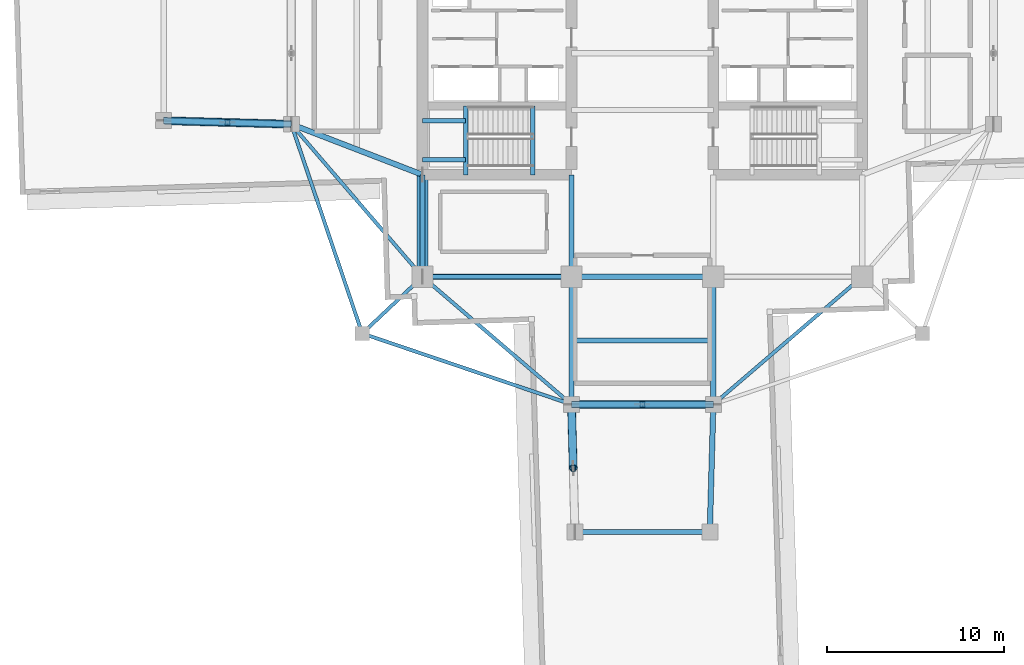
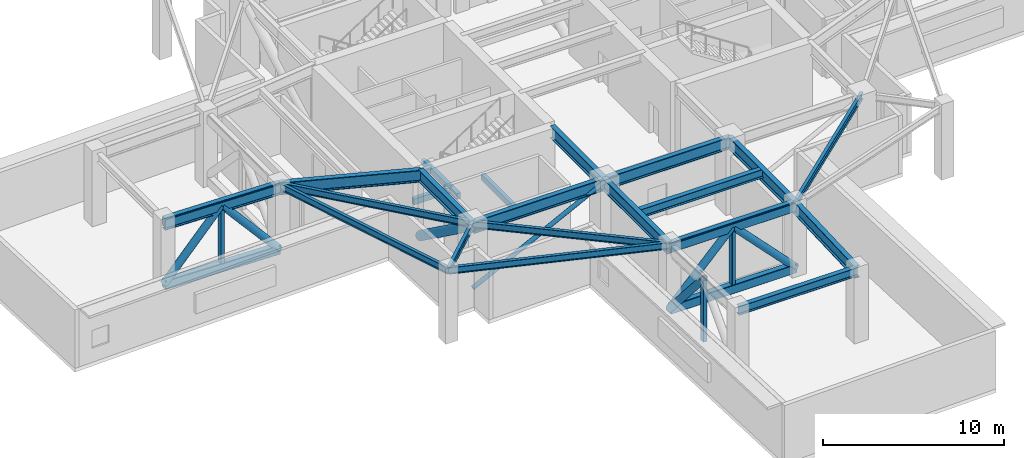
# One storey, part 2 of 17: 22 beams, 14 members.
"""IFC4 building model written with IfcOpenShell, lengths in metres."""

from ifc_helpers import new_model, si_unit, direction, frame, origin, origin_2d, place, context, subcontext, project, spatial, rectangle, hollow_rectangle, hollow_circle, i_section, extrude, material, material_profile, profile_set, type_object, element, save


model = new_model("IFC4")

# Units and contexts
model_context = context("Model", 3, precision=1e-05, world=origin(), true_north=direction((0.0, 1.0)))
body_context = subcontext(model_context, "Body", "Model", "MODEL_VIEW")
ifc_project = project(units=[si_unit("LENGTHUNIT", "METRE"), si_unit("AREAUNIT", "SQUARE_METRE"), si_unit("VOLUMEUNIT", "CUBIC_METRE"), si_unit("PLANEANGLEUNIT", "RADIAN"), si_unit("MASSUNIT", "GRAM", prefix="KILO")], contexts=[model_context])

# Site, building, storey
site_placement = place(None, origin())
site = spatial("IfcSite", under=ifc_project, at=site_placement, CompositionType="ELEMENT")
building_placement = place(site_placement, origin())
building = spatial("IfcBuilding", under=site, at=building_placement, Name="Qingluan Cross Belvedere", CompositionType="ELEMENT")
storey_placement = place(building_placement, frame((0.0, 0.0, 191.699951171875)))
storey = spatial("IfcBuildingStorey", under=building, at=storey_placement, Name="L48", CompositionType="ELEMENT", Elevation=191.699951171875)

# Beams
ifc_material_1 = material(Name="Concrete C45", Category="concrete")
ifc_material_profile_1 = material_profile(ifc_material_1, rectangle(XDim=0.25, YDim=0.39990234375, at=origin_2d()), Name="RC250x400")
ifc_profile_set_1 = profile_set([ifc_material_profile_1], Name="Concrete C45")
beam_type_1 = type_object("IfcBeamType", Name="RC_Lintel_RC250x400", PredefinedType="LINTEL", material=ifc_profile_set_1)
for number, where, z_axis, x_axis, name in (
    (1, (-6.179931640625, -6.85009765625, -0.199951171875), (0.0, 1.0, 0.0), (-1.0, 0.0, 0.0), "Stair ST1 landing beam L48"),
    (2, (-9.969970703125, -6.85009765625, 2.150146484375), (0.0, 1.0, 0.0), (-1.0, 0.0, 0.0), "Stair ST1 beam A L48"),
):
    element("IfcBeam", number, at=place(storey_placement, frame(where, z_axis=z_axis, x_axis=x_axis)), inside=storey, type_object=beam_type_1, Name=name, PredefinedType="LINTEL", context=body_context, shape_type="SweptSolid", body=[
        extrude(rectangle(XDim=0.25, YDim=0.39990234375, at=origin_2d()), origin(), (0.0, 0.0, 1.0), 3.89013671875),
    ])
for number, where, z_axis, x_axis, name in (
    (3, (-12.39990234375, -6.0, 2.150146484375), (1.0, 0.0, 0.0), (0.0, 1.0, 0.0), "Stair ST1 beam B L48"),
    (4, (-12.39990234375, -3.81005859375, 2.150146484375), (1.0, 0.0, 0.0), (0.0, 1.0, 0.0), "Stair ST1 beam C L48"),
):
    element("IfcBeam", number, at=place(storey_placement, frame(where, z_axis=z_axis, x_axis=x_axis)), inside=storey, type_object=beam_type_1, Name=name, PredefinedType="LINTEL", context=body_context, shape_type="SweptSolid", body=[
        extrude(rectangle(XDim=0.25, YDim=0.39990234375, at=origin_2d()), origin(), (0.0, 0.0, 1.0), 2.429931640625),
    ])

# Members
ifc_material_2 = material(Name="Steel Q420GJB", Category="steel")
ifc_material_profile_2 = material_profile(ifc_material_2, hollow_circle(Radius=0.228515625, WallThickness=0.02001953125, at=origin_2d()), Name="CHS457x20")
ifc_profile_set_2 = profile_set([ifc_material_profile_2], Name="Steel Q420GJB")
member_type_1 = type_object("IfcMemberType", Name="SteelMember_BRACE_CHS457x20", PredefinedType="BRACE", material=ifc_profile_set_2)
for number, where, z_axis, x_axis, name in (
    (5, (-4.0, -19.800048828125, 0.35009765625), (0.693983482825, 0.0, 0.719990920475), (0.0, 1.0, 0.0), "Belt truss diagonal A L48-S"),
    (6, (4.0, -19.800048828125, 0.35009765625), (-0.693983482825, 0.0, 0.719990920475), (0.0, -1.0, 0.0), "Belt truss diagonal B L48-S"),
):
    element("IfcMember", number, at=place(storey_placement, frame(where, z_axis=z_axis, x_axis=x_axis)), inside=storey, type_object=member_type_1, Name=name, PredefinedType="BRACE", context=body_context, shape_type="SweptSolid", body=[
        extrude(hollow_circle(Radius=0.228515625, WallThickness=0.02001953125, at=origin_2d()), origin(), (0.0, 0.0, 1.0), 5.763916015625),
    ])
member_1_placement = place(storey_placement, frame((-19.800048828125, -4.0, 0.35009765625), z_axis=(-0.655161797871, 0.018217452501, 0.755268921004), x_axis=(-0.027795292699, -0.999613636213, 0.0)))
element("IfcMember", 7, at=member_1_placement, inside=storey, type_object=member_type_1, Name="Belt truss diagonal A L48-WW", PredefinedType="BRACE", context=body_context, shape_type="SweptSolid", body=[
    extrude(hollow_circle(Radius=0.228515625, WallThickness=0.02001953125, at=origin_2d()), origin(), (0.0, 0.0, 1.0), 5.49462890625),
])
member_2_placement = place(storey_placement, frame((-27.0, -3.800048828125, 0.35009765625), z_axis=(0.655187687035, -0.018172505357, 0.755247545383), x_axis=(0.027725672588, 0.999615569646, 0.0)))
element("IfcMember", 8, at=member_2_placement, inside=storey, type_object=member_type_1, Name="Belt truss diagonal B L48-WW", PredefinedType="BRACE", context=body_context, shape_type="SweptSolid", body=[
    extrude(hollow_circle(Radius=0.228515625, WallThickness=0.02001953125, at=origin_2d()), origin(), (0.0, 0.0, 1.0), 5.494873046875),
])
member_3_placement = place(storey_placement, frame((-4.0, -19.800048828125, 0.35009765625), z_axis=(0.018217452501, -0.655161797871, 0.755268921004), x_axis=(0.999613636213, 0.027795292699, 0.0)))
element("IfcMember", 9, at=member_3_placement, inside=storey, type_object=member_type_1, Name="Belt truss diagonal A L48-SS", PredefinedType="BRACE", context=body_context, shape_type="SweptSolid", body=[
    extrude(hollow_circle(Radius=0.228515625, WallThickness=0.02001953125, at=origin_2d()), origin(), (0.0, 0.0, 1.0), 5.49462890625),
])
ifc_material_3 = material(Name="Steel Q420GJB", Category="steel")
ifc_material_profile_3 = material_profile(ifc_material_3, hollow_circle(Radius=0.304931640625, WallThickness=0.028076171875, at=origin_2d()), Name="CHS610x28")
ifc_profile_set_3 = profile_set([ifc_material_profile_3], Name="Steel Q420GJB")
member_type_2 = type_object("IfcMemberType", Name="SteelMember_BRACE_CHS610x28", PredefinedType="BRACE", material=ifc_profile_set_3)
member_4_placement = place(storey_placement, frame((-12.39990234375, -6.85009765625, 0.35009765625), z_axis=(0.0, -0.81087165175, 0.585224029231), x_axis=(1.0, 0.0, 0.0)))
element("IfcMember", 10, at=member_4_placement, inside=storey, type_object=member_type_2, Name="Outrigger truss diagonal L48-OWS", PredefinedType="BRACE", context=body_context, shape_type="SweptSolid", body=[
    extrude(hollow_circle(Radius=0.304931640625, WallThickness=0.028076171875, at=origin_2d()), origin(), (0.0, 0.0, 1.0), 7.091064453125),
])
ifc_material_4 = material(Name="Steel Q420GJB", Category="steel")
ifc_material_profile_4 = material_profile(ifc_material_4, hollow_rectangle(XDim=0.39990234375, YDim=0.60009765625, WallThickness=0.02490234375, InnerFilletRadius=0.02490234375, OuterFilletRadius=0.050048828125, at=origin_2d()), Name="RHS600x400x25")
ifc_profile_set_4 = profile_set([ifc_material_profile_4], Name="Steel Q420GJB")
member_type_3 = type_object("IfcMemberType", Name="SteelMember_CHORD_RHS600x400x25", PredefinedType="CHORD", material=ifc_profile_set_4)
for number, where, z_axis, x_axis, name in (
    (11, (-4.0, -19.800048828125, 0.35009765625), (1.0, 0.0, 0.0), (0.0, 1.0, 0.0), "Belt truss bottom chord L48-S"),
    (12, (-4.0, -19.800048828125, 4.5), (1.0, 0.0, 0.0), (0.0, 1.0, 0.0), "Belt truss top chord L48-S"),
):
    element("IfcMember", number, at=place(storey_placement, frame(where, z_axis=z_axis, x_axis=x_axis)), inside=storey, type_object=member_type_3, Name=name, PredefinedType="CHORD", context=body_context, shape_type="SweptSolid", body=[
        extrude(hollow_rectangle(XDim=0.39990234375, YDim=0.60009765625, WallThickness=0.02490234375, InnerFilletRadius=0.02490234375, OuterFilletRadius=0.050048828125, at=origin_2d()), origin(), (0.0, 0.0, 1.0), 8.0),
    ])
for number, where, z_axis, x_axis, name in (
    (13, (-19.800048828125, -4.0, 0.35009765625), (-0.999614603568, 0.027760481514, 0.0), (-0.027760481514, -0.999614603568, 0.0), "Belt truss bottom chord L48-WW"),
    (14, (-19.800048828125, -4.0, 4.5), (-0.999614603568, 0.027760481514, 0.0), (-0.027760481514, -0.999614603568, 0.0), "Belt truss top chord L48-WW"),
):
    element("IfcMember", number, at=place(storey_placement, frame(where, z_axis=z_axis, x_axis=x_axis)), inside=storey, type_object=member_type_3, Name=name, PredefinedType="CHORD", context=body_context, shape_type="SweptSolid", body=[
        extrude(hollow_rectangle(XDim=0.39990234375, YDim=0.60009765625, WallThickness=0.02490234375, InnerFilletRadius=0.02490234375, OuterFilletRadius=0.050048828125, at=origin_2d()), origin(), (0.0, 0.0, 1.0), 7.20263671875),
    ])
ifc_material_5 = material(Name="Steel Q420GJB", Category="steel")
ifc_material_profile_5 = material_profile(ifc_material_5, hollow_rectangle(XDim=0.25, YDim=0.35009765625, WallThickness=0.01611328125, InnerFilletRadius=0.01611328125, OuterFilletRadius=0.031982421875, at=origin_2d()), Name="RHS350x250x16")
ifc_profile_set_5 = profile_set([ifc_material_profile_5], Name="Steel Q420GJB")
member_type_4 = type_object("IfcMemberType", Name="SteelMember_POST_RHS350x250x16", PredefinedType="POST", material=ifc_profile_set_5)
for number, where, z_axis, x_axis, name in (
    (15, (0.0, -19.800048828125, 0.35009765625), (0.0, 0.0, 1.0), (1.0, 0.0, 0.0), "Belt truss mid-post L48-S"),
    (16, (-23.39990234375, -3.89990234375, 0.35009765625), (0.0, 0.0, 1.0), (1.0, 0.0, 0.0), "Belt truss mid-post L48-WW"),
    (17, (-3.89990234375, -23.39990234375, 0.35009765625), (0.0, 0.0, 1.0), (1.0, 0.0, 0.0), "Belt truss mid-post L48-SS"),
):
    element("IfcMember", number, at=place(storey_placement, frame(where, z_axis=z_axis, x_axis=x_axis)), inside=storey, type_object=member_type_4, Name=name, PredefinedType="POST", context=body_context, shape_type="SweptSolid", body=[
        extrude(hollow_rectangle(XDim=0.25, YDim=0.35009765625, WallThickness=0.01611328125, InnerFilletRadius=0.01611328125, OuterFilletRadius=0.031982421875, at=origin_2d()), origin(), (0.0, 0.0, 1.0), 4.14990234375),
    ])
ifc_material_6 = material(Name="Steel Q420GJB", Category="steel")
ifc_material_profile_6 = material_profile(ifc_material_6, hollow_circle(Radius=0.136474609375, WallThickness=0.011962890625, at=origin_2d()), Name="CHS273x12")
ifc_profile_set_6 = profile_set([ifc_material_profile_6], Name="Steel Q420GJB")
member_type_5 = type_object("IfcMemberType", Name="SteelMember_STRUT_CHS273x12", PredefinedType="STRUT", material=ifc_profile_set_6)
member_5_placement = place(storey_placement, frame((-12.39990234375, -12.60009765625, 0.300048828125), z_axis=(0.892290477913, 0.0, 0.45146174038), x_axis=(0.0, 1.0, 0.0)))
element("IfcMember", 18, at=member_5_placement, inside=storey, type_object=member_type_5, Name="Refuge hub lateral strut L48-SW", PredefinedType="STRUT", context=body_context, shape_type="SweptSolid", body=[
    extrude(hollow_circle(Radius=0.136474609375, WallThickness=0.011962890625, at=origin_2d()), origin(), (0.0, 0.0, 1.0), 9.413818359375),
])

# Beams
ifc_material_7 = material(Name="Steel Q420GJB", Category="steel")
ifc_material_profile_7 = material_profile(ifc_material_7, i_section(OverallWidth=0.300048828125, OverallDepth=0.587890625, WebThickness=0.011962890625, FlangeThickness=0.02001953125, FilletRadius=0.02392578125, at=origin_2d()), Name="HM588x300x12x20")
ifc_profile_set_7 = profile_set([ifc_material_profile_7], Name="Steel Q420GJB")
beam_type_2 = type_object("IfcBeamType", Name="Steel_Beam_HM588x300x12x20", PredefinedType="BEAM", material=ifc_profile_set_7)
for number, where, z_axis, x_axis, name in (
    (19, (-4.0, -19.800048828125, 4.55615234375), (1.0, 0.0, 0.0), (0.0, 1.0, 0.0), "Arm S tie L48"),
    (20, (-4.0, -16.199951171875, 4.55615234375), (1.0, 0.0, 0.0), (0.0, 1.0, 0.0), "Arm S beam L48"),
):
    element("IfcBeam", number, at=place(storey_placement, frame(where, z_axis=z_axis, x_axis=x_axis)), inside=storey, type_object=beam_type_2, Name=name, PredefinedType="BEAM", context=body_context, shape_type="SweptSolid", body=[
        extrude(i_section(OverallWidth=0.300048828125, OverallDepth=0.587890625, WebThickness=0.011962890625, FlangeThickness=0.02001953125, FilletRadius=0.02392578125, at=origin_2d()), origin(), (0.0, 0.0, 1.0), 8.0),
    ])
beam_1_placement = place(storey_placement, frame((-3.800048828125, -27.0, 4.55615234375), z_axis=(1.0, 0.0, 0.0), x_axis=(0.0, 1.0, 0.0)))
element("IfcBeam", 21, at=beam_1_placement, inside=storey, type_object=beam_type_2, Name="Arm S tip transverse beam L48", PredefinedType="BEAM", context=body_context, shape_type="SweptSolid", body=[
    extrude(i_section(OverallWidth=0.300048828125, OverallDepth=0.587890625, WebThickness=0.011962890625, FlangeThickness=0.02001953125, FilletRadius=0.02392578125, at=origin_2d()), origin(), (0.0, 0.0, 1.0), 7.60009765625),
])
ifc_material_8 = material(Name="Steel Q420GJB", Category="steel")
ifc_material_profile_8 = material_profile(ifc_material_8, i_section(OverallWidth=0.199951171875, OverallDepth=0.449951171875, WebThickness=0.009033203125, FlangeThickness=0.013916015625, FilletRadius=0.01611328125, at=origin_2d()), Name="HN450x200x9x14")
ifc_profile_set_8 = profile_set([ifc_material_profile_8], Name="Steel Q420GJB")
beam_type_3 = type_object("IfcBeamType", Name="Steel_Beam_HN450x200x9x14", PredefinedType="JOIST", material=ifc_profile_set_8)
beam_2_placement = place(storey_placement, frame((-12.39990234375, -12.60009765625, 4.625), z_axis=(-0.728219948308, -0.685343495546, 0.0), x_axis=(0.685343495546, -0.728219948308, 0.0)))
element("IfcBeam", 22, at=beam_2_placement, inside=storey, type_object=beam_type_3, Name="Corner beam 1 L48-RSW", PredefinedType="JOIST", context=body_context, shape_type="SweptSolid", body=[
    extrude(i_section(OverallWidth=0.199951171875, OverallDepth=0.449951171875, WebThickness=0.009033203125, FlangeThickness=0.013916015625, FilletRadius=0.01611328125, at=origin_2d()), origin(), (0.0, 0.0, 1.0), 4.669189453125),
])
for number, where, z_axis, x_axis, name in (
    (23, (-15.800048828125, -15.800048828125, 4.625), (0.947066283324, -0.321038089628, 0.0), (0.321038089628, 0.947066283324, 0.0), "Corner beam 2 L48-RSW"),
    (24, (-15.800048828125, -15.800048828125, 4.625), (-0.321038089628, 0.947066283324, 0.0), (-0.947066283324, -0.321038089628, 0.0), "Corner beam 3 L48-RSW"),
):
    element("IfcBeam", number, at=place(storey_placement, frame(where, z_axis=z_axis, x_axis=x_axis)), inside=storey, type_object=beam_type_3, Name=name, PredefinedType="JOIST", context=body_context, shape_type="SweptSolid", body=[
        extrude(i_section(OverallWidth=0.199951171875, OverallDepth=0.449951171875, WebThickness=0.009033203125, FlangeThickness=0.013916015625, FilletRadius=0.01611328125, at=origin_2d()), origin(), (0.0, 0.0, 1.0), 12.45947265625),
    ])
beam_3_placement = place(storey_placement, frame((-12.39990234375, -12.60009765625, 4.625), z_axis=(-0.652245077546, 0.75800815221, 0.0), x_axis=(-0.75800815221, -0.652245077546, 0.0)))
element("IfcBeam", 25, at=beam_3_placement, inside=storey, type_object=beam_type_3, Name="Corner beam 4 L48-RSW", PredefinedType="JOIST", context=body_context, shape_type="SweptSolid", body=[
    extrude(i_section(OverallWidth=0.199951171875, OverallDepth=0.449951171875, WebThickness=0.009033203125, FlangeThickness=0.013916015625, FilletRadius=0.01611328125, at=origin_2d()), origin(), (0.0, 0.0, 1.0), 11.345703125),
])
for number, where, z_axis, x_axis, name in (
    (26, (-12.39990234375, -12.60009765625, 4.625), (0.759255044656, -0.650793190779, 0.0), (0.650793190779, 0.759255044656, 0.0), "Corner beam 5 L48-RSW"),
    (27, (12.39990234375, -12.60009765625, 4.625), (-0.759255044656, -0.650793190779, 0.0), (0.650793190779, -0.759255044656, 0.0), "Corner beam 5 L48-RSE"),
):
    element("IfcBeam", number, at=place(storey_placement, frame(where, z_axis=z_axis, x_axis=x_axis)), inside=storey, type_object=beam_type_3, Name=name, PredefinedType="JOIST", context=body_context, shape_type="SweptSolid", body=[
        extrude(i_section(OverallWidth=0.199951171875, OverallDepth=0.449951171875, WebThickness=0.009033203125, FlangeThickness=0.013916015625, FilletRadius=0.01611328125, at=origin_2d()), origin(), (0.0, 0.0, 1.0), 11.063232421875),
    ])
ifc_material_9 = material(Name="Steel Q420GJB", Category="steel")
ifc_material_profile_9 = material_profile(ifc_material_9, i_section(OverallWidth=0.305908203125, OverallDepth=0.81396484375, WebThickness=0.02099609375, FlangeThickness=0.0400390625, FilletRadius=0.030029296875, at=origin_2d()), Name="HEM800")
ifc_profile_set_9 = profile_set([ifc_material_profile_9], Name="Steel Q420GJB")
beam_type_4 = type_object("IfcBeamType", Name="Steel_Girder_HEM800", PredefinedType="USERDEFINED", material=ifc_profile_set_9)
beam_4_placement = place(storey_placement, frame((-12.39990234375, -12.60009765625, 4.443115234375), z_axis=(1.0, 0.0, 0.0), x_axis=(0.0, 1.0, 0.0)))
element("IfcBeam", 28, at=beam_4_placement, inside=storey, type_object=beam_type_4, Name="Hub girder L48-HG-S1", ObjectType="GIRDER", PredefinedType="USERDEFINED", context=body_context, shape_type="SweptSolid", body=[
    extrude(i_section(OverallWidth=0.305908203125, OverallDepth=0.81396484375, WebThickness=0.02099609375, FlangeThickness=0.0400390625, FilletRadius=0.030029296875, at=origin_2d()), origin(), (0.0, 0.0, 1.0), 8.39990234375),
])
beam_5_placement = place(storey_placement, frame((-4.0, -12.60009765625, 4.443115234375), z_axis=(1.0, 0.0, 0.0), x_axis=(0.0, 1.0, 0.0)))
element("IfcBeam", 29, at=beam_5_placement, inside=storey, type_object=beam_type_4, Name="Hub girder L48-HG-S2", ObjectType="GIRDER", PredefinedType="USERDEFINED", context=body_context, shape_type="SweptSolid", body=[
    extrude(i_section(OverallWidth=0.305908203125, OverallDepth=0.81396484375, WebThickness=0.02099609375, FlangeThickness=0.0400390625, FilletRadius=0.030029296875, at=origin_2d()), origin(), (0.0, 0.0, 1.0), 8.0),
])
for number, where, z_axis, x_axis, name in (
    (30, (-12.39990234375, -12.60009765625, 4.443115234375), (0.0, 1.0, 0.0), (-1.0, 0.0, 0.0), "Hub girder L48-HG-W1"),
    (31, (-4.0, -12.60009765625, 4.443115234375), (0.0, 1.0, 0.0), (-1.0, 0.0, 0.0), "Hub girder L48-HG-CW"),
):
    element("IfcBeam", number, at=place(storey_placement, frame(where, z_axis=z_axis, x_axis=x_axis)), inside=storey, type_object=beam_type_4, Name=name, ObjectType="GIRDER", PredefinedType="USERDEFINED", context=body_context, shape_type="SweptSolid", body=[
        extrude(i_section(OverallWidth=0.305908203125, OverallDepth=0.81396484375, WebThickness=0.02099609375, FlangeThickness=0.0400390625, FilletRadius=0.030029296875, at=origin_2d()), origin(), (0.0, 0.0, 1.0), 5.75),
    ])
beam_6_placement = place(storey_placement, frame((-12.39990234375, -6.85009765625, 4.443115234375), z_axis=(-0.933181258889, 0.359406090735, 0.0), x_axis=(-0.359406090735, -0.933181258889, 0.0)))
element("IfcBeam", 32, at=beam_6_placement, inside=storey, type_object=beam_type_4, Name="Arm W radial girder A L48", ObjectType="GIRDER", PredefinedType="USERDEFINED", context=body_context, shape_type="SweptSolid", body=[
    extrude(i_section(OverallWidth=0.305908203125, OverallDepth=0.81396484375, WebThickness=0.02099609375, FlangeThickness=0.0400390625, FilletRadius=0.030029296875, at=origin_2d()), origin(), (0.0, 0.0, 1.0), 7.929931640625),
])
beam_7_placement = place(storey_placement, frame((-19.800048828125, -4.0, 4.443115234375), z_axis=(-0.999614603568, 0.027760481514, 0.0), x_axis=(-0.027760481514, -0.999614603568, 0.0)))
element("IfcBeam", 33, at=beam_7_placement, inside=storey, type_object=beam_type_4, Name="Arm W outer radial girder A L48", ObjectType="GIRDER", PredefinedType="USERDEFINED", context=body_context, shape_type="SweptSolid", body=[
    extrude(i_section(OverallWidth=0.305908203125, OverallDepth=0.81396484375, WebThickness=0.02099609375, FlangeThickness=0.0400390625, FilletRadius=0.030029296875, at=origin_2d()), origin(), (0.0, 0.0, 1.0), 7.20263671875),
])
for number, where, z_axis, x_axis, name in (
    (34, (-4.0, -12.60009765625, 4.443115234375), (0.0, -1.0, 0.0), (1.0, 0.0, 0.0), "Arm S radial girder A L48"),
    (35, (4.0, -12.60009765625, 4.443115234375), (0.0, -1.0, 0.0), (1.0, 0.0, 0.0), "Arm S radial girder B L48"),
):
    element("IfcBeam", number, at=place(storey_placement, frame(where, z_axis=z_axis, x_axis=x_axis)), inside=storey, type_object=beam_type_4, Name=name, ObjectType="GIRDER", PredefinedType="USERDEFINED", context=body_context, shape_type="SweptSolid", body=[
        extrude(i_section(OverallWidth=0.305908203125, OverallDepth=0.81396484375, WebThickness=0.02099609375, FlangeThickness=0.0400390625, FilletRadius=0.030029296875, at=origin_2d()), origin(), (0.0, 0.0, 1.0), 7.199951171875),
    ])
beam_8_placement = place(storey_placement, frame((4.0, -19.800048828125, 4.443115234375), z_axis=(-0.027760481514, -0.999614603568, 0.0), x_axis=(0.999614603568, -0.027760481514, 0.0)))
element("IfcBeam", 36, at=beam_8_placement, inside=storey, type_object=beam_type_4, Name="Arm S outer radial girder B L48", ObjectType="GIRDER", PredefinedType="USERDEFINED", context=body_context, shape_type="SweptSolid", body=[
    extrude(i_section(OverallWidth=0.305908203125, OverallDepth=0.81396484375, WebThickness=0.02099609375, FlangeThickness=0.0400390625, FilletRadius=0.030029296875, at=origin_2d()), origin(), (0.0, 0.0, 1.0), 7.20263671875),
])

save(model, "model.ifc")
